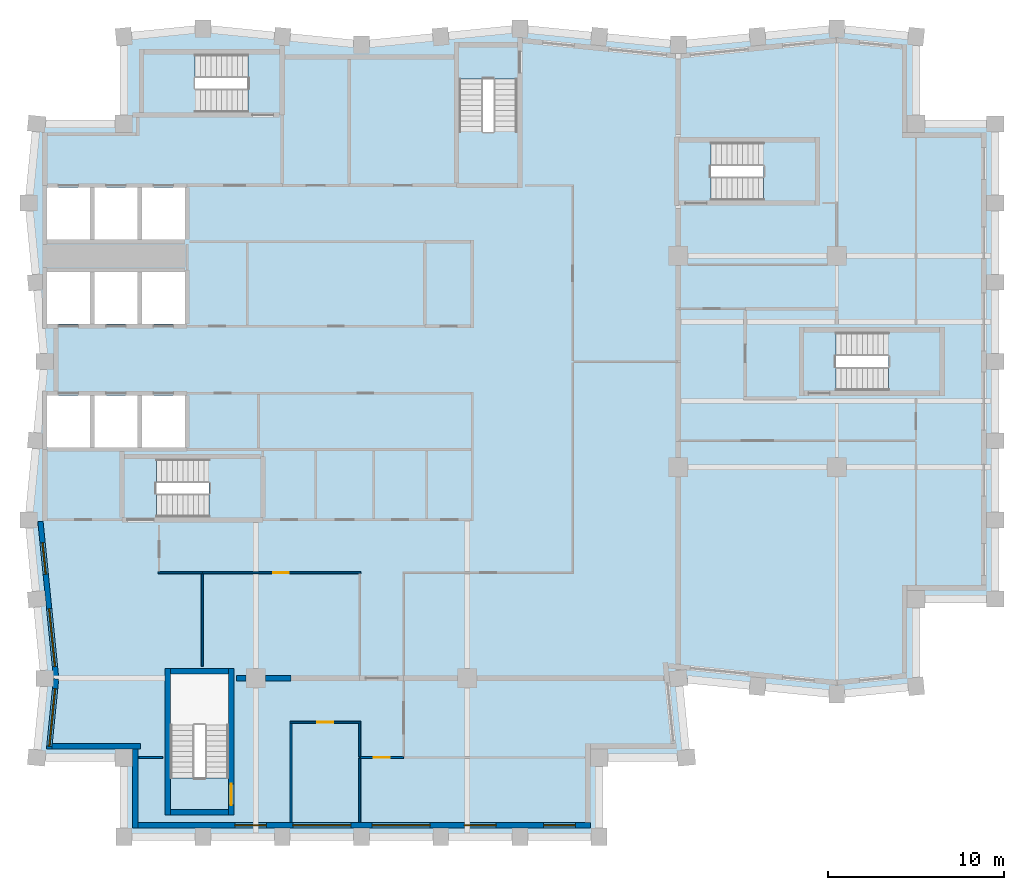
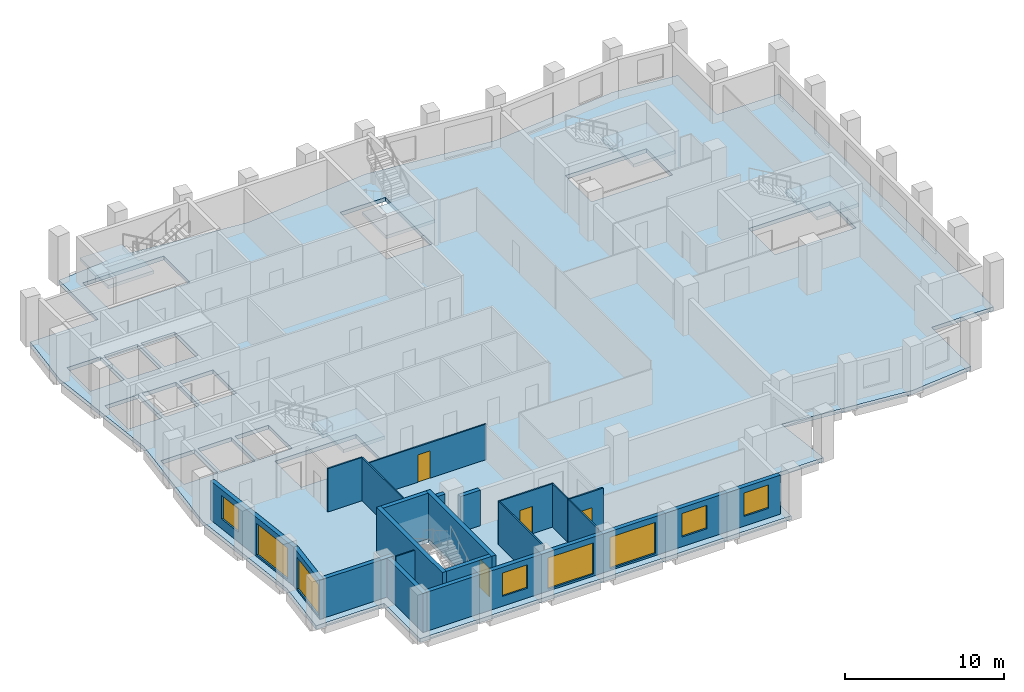
# One storey, part 2 of 8: 20 walls, 8 windows, 6 slabs, 4 doors, 12 openings, 5 elements without a shape of their own.
"""IFC4 building model written with IfcOpenShell, lengths in metres."""

from ifc_helpers import new_model, si_unit, direction, frame, frame_2d, origin, place, context, subcontext, project, spatial, polyline, rectangle, outline, extrude, material, layer, layer_set, type_object, element, fill, aggregate, save


model = new_model("IFC4")

# Units and contexts
model_context = context("Model", 3, precision=1e-05, world=origin(), true_north=direction((0.0, 1.0)))
body_context = subcontext(model_context, "Body", "Model", "MODEL_VIEW")
ifc_project = project(units=[si_unit("LENGTHUNIT", "METRE"), si_unit("AREAUNIT", "SQUARE_METRE"), si_unit("VOLUMEUNIT", "CUBIC_METRE"), si_unit("PLANEANGLEUNIT", "RADIAN"), si_unit("MASSUNIT", "GRAM", prefix="KILO")], contexts=[model_context])

# Site, building, storey
site_placement = place(None, origin())
site = spatial("IfcSite", under=ifc_project, at=site_placement, CompositionType="ELEMENT")
building_placement = place(site_placement, origin())
building = spatial("IfcBuilding", under=site, at=building_placement, Name="Brondeck Convention Tower", CompositionType="ELEMENT")
storey_placement = place(building_placement, frame((0.0, 0.0, 244.39990234375)))
storey = spatial("IfcBuildingStorey", under=building, at=storey_placement, Name="L60", CompositionType="ELEMENT", Elevation=244.39990234375)

# Slab
ifc_material_1 = material(Name="Concrete C35/45", Category="concrete")
ifc_layer_1 = layer(ifc_material_1, 0.300048828125)
ifc_layer_set_1 = layer_set([ifc_layer_1], Name="Composite floor slab 300")
slab_type_1 = type_object("IfcSlabType", Name="Composite floor slab 300", PredefinedType="FLOOR", material=ifc_layer_set_1)
slab_1_placement = place(storey_placement, frame((0.0, 0.0, -0.2998046875)))
element("IfcSlab", 1, at=slab_1_placement, inside=storey, type_object=slab_type_1, Name="STR-SL-L60", PredefinedType="FLOOR", context=body_context, shape_type="SweptSolid", body=[
    extrude(outline(polyline([(4.5, 22.5), (-0.449951171875, 22.5), (0.0, 27.0), (-0.89990234375, 36.0), (0.0, 45.0), (-0.89990234375, 54.0), (-0.449951171875, 58.5), (4.5, 58.5), (4.5, 63.449951171875), (9.0, 63.89990234375), (18.0, 63.0), (27.0, 63.89990234375), (36.0, 63.0), (45.0, 63.89990234375), (49.5, 63.449951171875), (49.5, 58.5), (54.0, 58.5), (54.0, 31.5), (49.5, 31.5), (49.5, 26.550048828125), (45.0, 26.10009765625), (36.0, 27.0), (36.449951171875, 22.5), (31.5, 22.5), (31.5, 18.0), (4.5, 18.0), (4.5, 22.5)]), holes=[polyline([(2.574951171875, 43.074951171875), (0.125, 43.074951171875), (0.125, 40.125), (2.574951171875, 40.125), (2.574951171875, 43.074951171875)]), polyline([(5.27490234375, 40.125), (5.27490234375, 43.074951171875), (2.824951171875, 43.074951171875), (2.824951171875, 40.125), (5.27490234375, 40.125)]), polyline([(7.97509765625, 40.125), (7.97509765625, 43.074951171875), (5.52490234375, 43.074951171875), (5.52490234375, 40.125), (7.97509765625, 40.125)]), polyline([(2.574951171875, 47.125), (2.574951171875, 50.074951171875), (0.125, 50.074951171875), (0.125, 47.125), (2.574951171875, 47.125)]), polyline([(5.27490234375, 47.125), (5.27490234375, 50.074951171875), (2.824951171875, 50.074951171875), (2.824951171875, 47.125), (5.27490234375, 47.125)]), polyline([(7.97509765625, 47.125), (7.97509765625, 50.074951171875), (5.52490234375, 50.074951171875), (5.52490234375, 47.125), (7.97509765625, 47.125)]), polyline([(2.574951171875, 51.925048828125), (2.574951171875, 54.875), (0.125, 54.875), (0.125, 51.925048828125), (2.574951171875, 51.925048828125)]), polyline([(5.27490234375, 51.925048828125), (5.27490234375, 54.875), (2.824951171875, 54.875), (2.824951171875, 51.925048828125), (5.27490234375, 51.925048828125)]), polyline([(10.447998046875, 27.248046875), (7.152099609375, 27.248046875), (7.152099609375, 21.35205078125), (10.447998046875, 21.35205078125), (10.447998046875, 27.248046875)]), polyline([(12.248046875, 36.152099609375), (12.248046875, 39.447998046875), (6.35205078125, 39.447998046875), (6.35205078125, 36.152099609375), (12.248046875, 36.152099609375)]), polyline([(50.847900390625, 43.35205078125), (50.847900390625, 46.64794921875), (44.951904296875, 46.64794921875), (44.951904296875, 43.35205078125), (50.847900390625, 43.35205078125)]), polyline([(7.97509765625, 51.925048828125), (7.97509765625, 54.875), (5.52490234375, 54.875), (5.52490234375, 51.925048828125), (7.97509765625, 51.925048828125)]), polyline([(43.748046875, 54.152099609375), (43.748046875, 57.447998046875), (37.85205078125, 57.447998046875), (37.85205078125, 54.152099609375), (43.748046875, 54.152099609375)]), polyline([(23.552001953125, 55.152099609375), (26.847900390625, 55.152099609375), (26.847900390625, 61.048095703125), (23.552001953125, 61.048095703125), (23.552001953125, 55.152099609375)]), polyline([(5.652099609375, 62.447998046875), (5.652099609375, 59.152099609375), (11.548095703125, 59.152099609375), (11.548095703125, 62.447998046875), (5.652099609375, 62.447998046875)])]), origin(), (0.0, 0.0, 1.0), 0.2998046875),
])

# Stair, slab
ifc_material_2 = material(Name="Precast concrete C50/60", Category="concrete")
stair_type = type_object("IfcStairType", Name="Core stair 22 risers 172.73 mm riser 300 mm going 1350 wide", PredefinedType="HALF_TURN_STAIR", material=ifc_material_2)
stair_1_placement = place(storey_placement, origin())
stair_1 = element("IfcStair", 2, at=stair_1_placement, inside=storey, type_object=stair_type, Name="ST-1 L60 stair", PredefinedType="HALF_TURN_STAIR")
ifc_layer_2 = layer(ifc_material_2, 0.25)
ifc_layer_set_2 = layer_set([ifc_layer_2], Name="Core stair landing 250 Precast concrete C50/60")
slab_type_2 = type_object("IfcSlabType", Name="Core stair landing 250 Precast concrete C50/60", PredefinedType="LANDING", material=ifc_layer_set_2)
slab_2_placement = place(storey_placement, frame((0.0, 0.0, 1.650146484375)))
slab_2 = element("IfcSlab", 3, at=slab_2_placement, type_object=slab_type_2, Name="ST-1 landing 1", PredefinedType="LANDING", context=body_context, shape_type="SweptSolid", body=[
    extrude(outline(polyline([(9.347900390625, 37.5), (9.35009765625, 37.5), (9.35009765625, 38.10009765625), (9.050048828125, 38.10009765625), (9.050048828125, 39.570068359375), (12.3701171875, 39.570068359375), (12.3701171875, 36.030029296875), (9.347900390625, 36.030029296875), (9.347900390625, 37.5)])), origin(), (0.0, 0.0, 1.0), 0.25),
])
aggregate(stair_1, [slab_2])

stair_2_placement = place(storey_placement, origin())
stair_2 = element("IfcStair", 4, at=stair_2_placement, inside=storey, type_object=stair_type, Name="ST-2 L60 stair", PredefinedType="HALF_TURN_STAIR")
slab_3_placement = place(storey_placement, frame((0.0, 0.0, 1.650146484375)))
slab_3 = element("IfcSlab", 5, at=slab_3_placement, type_object=slab_type_2, Name="ST-2 landing 1", PredefinedType="LANDING", context=body_context, shape_type="SweptSolid", body=[
    extrude(outline(polyline([(23.429931640625, 58.052001953125), (24.89990234375, 58.052001953125), (24.89990234375, 58.050048828125), (25.5, 58.050048828125), (25.5, 58.35009765625), (26.969970703125, 58.35009765625), (26.969970703125, 55.030029296875), (23.429931640625, 55.030029296875), (23.429931640625, 58.052001953125)])), origin(), (0.0, 0.0, 1.0), 0.25),
])
aggregate(stair_2, [slab_3])

stair_3_placement = place(storey_placement, origin())
stair_3 = element("IfcStair", 6, at=stair_3_placement, inside=storey, type_object=stair_type, Name="ST-3 L60 stair", PredefinedType="HALF_TURN_STAIR")
slab_4_placement = place(storey_placement, frame((0.0, 0.0, 1.650146484375)))
slab_4 = element("IfcSlab", 7, at=slab_4_placement, type_object=slab_type_2, Name="ST-3 landing 1", PredefinedType="LANDING", context=body_context, shape_type="SweptSolid", body=[
    extrude(outline(polyline([(8.85009765625, 60.5), (8.85009765625, 59.030029296875), (5.530029296875, 59.030029296875), (5.530029296875, 62.570068359375), (8.552001953125, 62.570068359375), (8.552001953125, 61.10009765625), (8.550048828125, 61.10009765625), (8.550048828125, 60.5), (8.85009765625, 60.5)])), origin(), (0.0, 0.0, 1.0), 0.25),
])
aggregate(stair_3, [slab_4])

stair_4_placement = place(storey_placement, origin())
stair_4 = element("IfcStair", 8, at=stair_4_placement, inside=storey, type_object=stair_type, Name="ST-AE L60 stair", PredefinedType="HALF_TURN_STAIR")
slab_5_placement = place(storey_placement, frame((0.0, 0.0, 1.650146484375)))
slab_5 = element("IfcSlab", 9, at=slab_5_placement, type_object=slab_type_2, Name="ST-AE landing 1", PredefinedType="LANDING", context=body_context, shape_type="SweptSolid", body=[
    extrude(outline(polyline([(40.847900390625, 55.5), (40.85009765625, 55.5), (40.85009765625, 56.10009765625), (40.550048828125, 56.10009765625), (40.550048828125, 57.570068359375), (43.8701171875, 57.570068359375), (43.8701171875, 54.030029296875), (40.847900390625, 54.030029296875), (40.847900390625, 55.5)])), origin(), (0.0, 0.0, 1.0), 0.25),
])
aggregate(stair_4, [slab_5])

stair_5_placement = place(storey_placement, origin())
stair_5 = element("IfcStair", 10, at=stair_5_placement, inside=storey, type_object=stair_type, Name="ST-AF L60 stair", PredefinedType="HALF_TURN_STAIR")
slab_6_placement = place(storey_placement, frame((0.0, 0.0, 1.650146484375)))
slab_6 = element("IfcSlab", 11, at=slab_6_placement, type_object=slab_type_2, Name="ST-AF landing 1", PredefinedType="LANDING", context=body_context, shape_type="SweptSolid", body=[
    extrude(outline(polyline([(47.947998046875, 44.699951171875), (47.949951171875, 44.699951171875), (47.949951171875, 45.300048828125), (47.64990234375, 45.300048828125), (47.64990234375, 46.77001953125), (50.969970703125, 46.77001953125), (50.969970703125, 43.22998046875), (47.947998046875, 43.22998046875), (47.947998046875, 44.699951171875)])), origin(), (0.0, 0.0, 1.0), 0.25),
])
aggregate(stair_5, [slab_6])

# Walls
ifc_material_3 = material(Name="Concrete compartment wall C30/37", Category="concrete")
ifc_layer_3 = layer(ifc_material_3, 0.300048828125)
ifc_layer_set_3 = layer_set([ifc_layer_3], Name="Compartment wall 300")
wall_type_1 = type_object("IfcWallType", Name="Compartment wall 300", PredefinedType="PARTITIONING", material=ifc_layer_set_3)
wall_1_placement = place(storey_placement, frame((10.89990234375, 27.0, 0.0), z_axis=(0.0, 0.0, 1.0), x_axis=(1.0, 0.0, 0.0)))
element("IfcWall", 12, at=wall_1_placement, inside=storey, type_object=wall_type_1, Name="FLR-L60-W013", PredefinedType="PARTITIONING", context=body_context, shape_type="SweptSolid", body=[
    extrude(rectangle(XDim=0.545166015625, YDim=0.300048828125, at=frame_2d((0.2724609375, 0.0))), origin(), (0.0, 0.0, 1.0), 3.330078125),
])
wall_2_placement = place(storey_placement, frame((12.554931640625, 27.0, 0.0), z_axis=(0.0, 0.0, 1.0), x_axis=(1.0, 0.0, 0.0)))
element("IfcWall", 13, at=wall_2_placement, inside=storey, type_object=wall_type_1, Name="FLR-L60-W014", PredefinedType="PARTITIONING", context=body_context, shape_type="SweptSolid", body=[
    extrude(rectangle(XDim=1.445068359375, YDim=0.300048828125, at=frame_2d((0.72265625, 0.0))), origin(), (0.0, 0.0, 1.0), 2.72998046875),
])

# Wall, openings, windows
ifc_material_4 = material(Name="Precast concrete C50/60 bronze finish", Category="concrete")
ifc_layer_4 = layer(ifc_material_4, 0.070068359375, Name="Bronze precast facing")
ifc_material_5 = material(Name="Mineral wool")
ifc_layer_5 = layer(ifc_material_5, 0.159912109375, Name="Insulation")
ifc_layer_6 = layer(ifc_material_1, 0.070068359375, Name="Backing")
ifc_layer_set_4 = layer_set([ifc_layer_4, ifc_layer_5, ifc_layer_6], Name="External infill wall, precast concrete C50/60 bronze facing")
wall_type_2 = type_object("IfcWallType", Name="External infill wall, precast concrete C50/60 bronze facing", PredefinedType="SOLIDWALL", material=ifc_layer_set_4)
wall_3_placement = place(storey_placement, frame((31.0, 18.64990234375, 0.0), z_axis=(0.0, 0.0, 1.0), x_axis=(-1.0, 0.0, 0.0)))
wall_3 = element("IfcWall", 14, at=wall_3_placement, inside=storey, type_object=wall_type_2, Name="ENV-EW-L60-P2-B-S18-01", PredefinedType="SOLIDWALL", context=body_context, shape_type="SweptSolid", body=[
    extrude(rectangle(XDim=25.699951171875, YDim=0.300048828125, at=frame_2d((12.85009765625, 0.0))), origin(), (0.0, 0.0, 1.0), 3.0),
])
opening_1_placement = place(wall_3_placement, frame((0.85009765625, 0.0, 0.75)))
opening_1 = element("IfcOpeningElement", 15, at=opening_1_placement, cuts=wall_3, Name="Opening W10", PredefinedType="OPENING", context=body_context, shape_type="SweptSolid", body=[
    extrude(rectangle(XDim=1.800048828125, YDim=1.800048828125, at=frame_2d((0.89990234375, 0.89990234375))), frame((0.0, 0.159912109375, 0.0), z_axis=(0.0, -1.0, 0.0), x_axis=(1.0, 0.0, 0.0)), (0.0, 0.0, 1.0), 0.320068359375),
])
opening_2_placement = place(wall_3_placement, frame((5.35009765625, 0.0, 0.75)))
opening_2 = element("IfcOpeningElement", 16, at=opening_2_placement, cuts=wall_3, Name="Opening W10", PredefinedType="OPENING", context=body_context, shape_type="SweptSolid", body=[
    extrude(rectangle(XDim=1.800048828125, YDim=1.800048828125, at=frame_2d((0.89990234375, 0.89990234375))), frame((0.0, 0.159912109375, 0.0), z_axis=(0.0, -1.0, 0.0), x_axis=(1.0, 0.0, 0.0)), (0.0, 0.0, 1.0), 0.320068359375),
])
opening_3_placement = place(wall_3_placement, frame((9.10009765625, 0.0, 0.14990234375)))
opening_3 = element("IfcOpeningElement", 17, at=opening_3_placement, cuts=wall_3, Name="Opening W9", PredefinedType="OPENING", context=body_context, shape_type="SweptSolid", body=[
    extrude(rectangle(XDim=3.300048828125, YDim=2.39990234375, at=frame_2d((1.64990234375, 1.199951171875))), frame((0.0, 0.159912109375, 0.0), z_axis=(0.0, -1.0, 0.0), x_axis=(1.0, 0.0, 0.0)), (0.0, 0.0, 1.0), 0.320068359375),
])
opening_4_placement = place(wall_3_placement, frame((13.60009765625, 0.0, 0.14990234375)))
opening_4 = element("IfcOpeningElement", 18, at=opening_4_placement, cuts=wall_3, Name="Opening W9", PredefinedType="OPENING", context=body_context, shape_type="SweptSolid", body=[
    extrude(rectangle(XDim=3.300048828125, YDim=2.39990234375, at=frame_2d((1.64990234375, 1.199951171875))), frame((0.0, 0.159912109375, 0.0), z_axis=(0.0, -1.0, 0.0), x_axis=(1.0, 0.0, 0.0)), (0.0, 0.0, 1.0), 0.320068359375),
])
opening_5_placement = place(wall_3_placement, frame((18.39990234375, 0.0, 0.75)))
opening_5 = element("IfcOpeningElement", 19, at=opening_5_placement, cuts=wall_3, Name="Opening W10", PredefinedType="OPENING", context=body_context, shape_type="SweptSolid", body=[
    extrude(rectangle(XDim=1.800048828125, YDim=1.800048828125, at=frame_2d((0.89990234375, 0.89990234375))), frame((0.0, 0.159912109375, 0.0), z_axis=(0.0, -1.0, 0.0), x_axis=(1.0, 0.0, 0.0)), (0.0, 0.0, 1.0), 0.320068359375),
])
ifc_material_6 = material(Name="Bronze tinted double glazing", Category="glass")
window_type_1 = type_object("IfcWindowType", Name="Glazed flute window, bronze tinted", PartitioningType="SINGLE_PANEL", PredefinedType="WINDOW", material=ifc_material_6)
window_1_placement = place(opening_3_placement, origin())
window_1 = element("IfcWindow", 20, at=window_1_placement, inside=storey, type_object=window_type_1, Name="ENV-WN-L60-P2-B-S18-04", OverallHeight=2.39990234375, OverallWidth=3.300048828125, PartitioningType="SINGLE_PANEL", PredefinedType="WINDOW", context=body_context, shape_type="SweptSolid", body=[
    extrude(rectangle(XDim=3.300048828125, YDim=2.39990234375, at=frame_2d((1.64990234375, 1.199951171875))), frame((0.0, 0.030029296875, 0.0), z_axis=(0.0, -1.0, 0.0), x_axis=(1.0, 0.0, 0.0)), (0.0, 0.0, 1.0), 0.06005859375),
])
fill(opening_3, window_1)
window_2_placement = place(opening_4_placement, origin())
window_2 = element("IfcWindow", 21, at=window_2_placement, inside=storey, type_object=window_type_1, Name="ENV-WN-L60-P2-B-S18-03", OverallHeight=2.39990234375, OverallWidth=3.300048828125, PartitioningType="SINGLE_PANEL", PredefinedType="WINDOW", context=body_context, shape_type="SweptSolid", body=[
    extrude(rectangle(XDim=3.300048828125, YDim=2.39990234375, at=frame_2d((1.64990234375, 1.199951171875))), frame((0.0, 0.030029296875, 0.0), z_axis=(0.0, -1.0, 0.0), x_axis=(1.0, 0.0, 0.0)), (0.0, 0.0, 1.0), 0.06005859375),
])
fill(opening_4, window_2)
window_type_2 = type_object("IfcWindowType", Name="Punched window, bronze tinted", PartitioningType="SINGLE_PANEL", PredefinedType="WINDOW", material=ifc_material_6)
window_3_placement = place(opening_1_placement, origin())
window_3 = element("IfcWindow", 22, at=window_3_placement, inside=storey, type_object=window_type_2, Name="ENV-WN-L60-P2-B-S18-06", OverallHeight=1.800048828125, OverallWidth=1.800048828125, PartitioningType="SINGLE_PANEL", PredefinedType="WINDOW", context=body_context, shape_type="SweptSolid", body=[
    extrude(rectangle(XDim=1.800048828125, YDim=1.800048828125, at=frame_2d((0.89990234375, 0.89990234375))), frame((0.0, 0.030029296875, 0.0), z_axis=(0.0, -1.0, 0.0), x_axis=(1.0, 0.0, 0.0)), (0.0, 0.0, 1.0), 0.06005859375),
])
fill(opening_1, window_3)
window_4_placement = place(opening_2_placement, origin())
window_4 = element("IfcWindow", 23, at=window_4_placement, inside=storey, type_object=window_type_2, Name="ENV-WN-L60-P2-B-S18-05", OverallHeight=1.800048828125, OverallWidth=1.800048828125, PartitioningType="SINGLE_PANEL", PredefinedType="WINDOW", context=body_context, shape_type="SweptSolid", body=[
    extrude(rectangle(XDim=1.800048828125, YDim=1.800048828125, at=frame_2d((0.89990234375, 0.89990234375))), frame((0.0, 0.030029296875, 0.0), z_axis=(0.0, -1.0, 0.0), x_axis=(1.0, 0.0, 0.0)), (0.0, 0.0, 1.0), 0.06005859375),
])
fill(opening_2, window_4)
window_5_placement = place(opening_5_placement, origin())
window_5 = element("IfcWindow", 24, at=window_5_placement, inside=storey, type_object=window_type_2, Name="ENV-WN-L60-P2-B-S18-02", OverallHeight=1.800048828125, OverallWidth=1.800048828125, PartitioningType="SINGLE_PANEL", PredefinedType="WINDOW", context=body_context, shape_type="SweptSolid", body=[
    extrude(rectangle(XDim=1.800048828125, YDim=1.800048828125, at=frame_2d((0.89990234375, 0.89990234375))), frame((0.0, 0.030029296875, 0.0), z_axis=(0.0, -1.0, 0.0), x_axis=(1.0, 0.0, 0.0)), (0.0, 0.0, 1.0), 0.06005859375),
])
fill(opening_5, window_5)

wall_4_placement = place(storey_placement, frame((0.65478515625, 26.985107421875, 0.0), z_axis=(0.0, 0.0, 1.0), x_axis=(-0.099509105781, 0.995036651519, 0.0)))
wall_4 = element("IfcWall", 25, at=wall_4_placement, inside=storey, type_object=wall_type_2, Name="ENV-EW-L60-P2-B-W-06", PredefinedType="SOLIDWALL", context=body_context, shape_type="SweptSolid", body=[
    extrude(rectangle(XDim=8.974609375, YDim=0.300048828125, at=frame_2d((4.4873046875, 0.0))), origin(), (0.0, 0.0, 1.0), 3.0),
])
opening_6_placement = place(wall_4_placement, frame((0.691162109375, 0.0, 0.14990234375)))
opening_6 = element("IfcOpeningElement", 26, at=opening_6_placement, cuts=wall_4, Name="Opening W9", PredefinedType="OPENING", context=body_context, shape_type="SweptSolid", body=[
    extrude(rectangle(XDim=3.300048828125, YDim=2.39990234375, at=frame_2d((1.64990234375, 1.199951171875))), frame((0.0, 0.159912109375, 0.0), z_axis=(0.0, -1.0, 0.0), x_axis=(1.0, 0.0, 0.0)), (0.0, 0.0, 1.0), 0.320068359375),
])
opening_7_placement = place(wall_4_placement, frame((5.963623046875, 0.0, 0.75)))
opening_7 = element("IfcOpeningElement", 27, at=opening_7_placement, cuts=wall_4, Name="Opening W10", PredefinedType="OPENING", context=body_context, shape_type="SweptSolid", body=[
    extrude(rectangle(XDim=1.800048828125, YDim=1.800048828125, at=frame_2d((0.89990234375, 0.89990234375))), frame((0.0, 0.159912109375, 0.0), z_axis=(0.0, -1.0, 0.0), x_axis=(1.0, 0.0, 0.0)), (0.0, 0.0, 1.0), 0.320068359375),
])
window_6_placement = place(opening_6_placement, origin())
window_6 = element("IfcWindow", 28, at=window_6_placement, inside=storey, type_object=window_type_1, Name="ENV-WN-L60-P2-B-W-07", OverallHeight=2.39990234375, OverallWidth=3.300048828125, PartitioningType="SINGLE_PANEL", PredefinedType="WINDOW", context=body_context, shape_type="SweptSolid", body=[
    extrude(rectangle(XDim=3.300048828125, YDim=2.39990234375, at=frame_2d((1.64990234375, 1.199951171875))), frame((0.0, 0.030029296875, 0.0), z_axis=(0.0, -1.0, 0.0), x_axis=(1.0, 0.0, 0.0)), (0.0, 0.0, 1.0), 0.06005859375),
])
fill(opening_6, window_6)
window_7_placement = place(opening_7_placement, origin())
window_7 = element("IfcWindow", 29, at=window_7_placement, inside=storey, type_object=window_type_2, Name="ENV-WN-L60-P2-B-W-06", OverallHeight=1.800048828125, OverallWidth=1.800048828125, PartitioningType="SINGLE_PANEL", PredefinedType="WINDOW", context=body_context, shape_type="SweptSolid", body=[
    extrude(rectangle(XDim=1.800048828125, YDim=1.800048828125, at=frame_2d((0.89990234375, 0.89990234375))), frame((0.0, 0.030029296875, 0.0), z_axis=(0.0, -1.0, 0.0), x_axis=(1.0, 0.0, 0.0)), (0.0, 0.0, 1.0), 0.06005859375),
])
fill(opening_7, window_7)

# Wall, opening, window
wall_5_placement = place(storey_placement, frame((0.251708984375, 22.985107421875, 0.0), z_axis=(0.0, 0.0, 1.0), x_axis=(0.09954596771, 0.995032964435, 0.0)))
wall_5 = element("IfcWall", 30, at=wall_5_placement, inside=storey, type_object=wall_type_2, Name="ENV-EW-L60-P2-B-W-08", PredefinedType="SOLIDWALL", context=body_context, shape_type="SweptSolid", body=[
    extrude(rectangle(XDim=4.0048828125, YDim=0.300048828125, at=frame_2d((2.00244140625, 0.0))), origin(), (0.0, 0.0, 1.0), 3.0),
])
opening_8_placement = place(wall_5_placement, frame((0.14990234375, 0.0, 0.14990234375)))
opening_8 = element("IfcOpeningElement", 31, at=opening_8_placement, cuts=wall_5, Name="Opening W9", PredefinedType="OPENING", context=body_context, shape_type="SweptSolid", body=[
    extrude(rectangle(XDim=3.300048828125, YDim=2.39990234375, at=frame_2d((1.64990234375, 1.199951171875))), frame((0.0, 0.159912109375, 0.0), z_axis=(0.0, -1.0, 0.0), x_axis=(1.0, 0.0, 0.0)), (0.0, 0.0, 1.0), 0.320068359375),
])
window_8_placement = place(opening_8_placement, origin())
window_8 = element("IfcWindow", 32, at=window_8_placement, inside=storey, type_object=window_type_1, Name="ENV-WN-L60-P2-B-W-08", OverallHeight=2.39990234375, OverallWidth=3.300048828125, PartitioningType="SINGLE_PANEL", PredefinedType="WINDOW", context=body_context, shape_type="SweptSolid", body=[
    extrude(rectangle(XDim=3.300048828125, YDim=2.39990234375, at=frame_2d((1.64990234375, 1.199951171875))), frame((0.0, 0.030029296875, 0.0), z_axis=(0.0, -1.0, 0.0), x_axis=(1.0, 0.0, 0.0)), (0.0, 0.0, 1.0), 0.06005859375),
])
fill(opening_8, window_8)

# Walls
wall_6_placement = place(storey_placement, frame((5.449951171875, 23.14990234375, 0.0), z_axis=(0.0, 0.0, 1.0), x_axis=(-1.0, 0.0, 0.0)))
element("IfcWall", 33, at=wall_6_placement, inside=storey, type_object=wall_type_2, Name="ENV-EW-L60-P2-NC-SWB18-01", PredefinedType="SOLIDWALL", context=body_context, shape_type="SweptSolid", body=[
    extrude(rectangle(XDim=5.025634765625, YDim=0.300048828125, at=frame_2d((2.5126953125, 0.0))), origin(), (0.0, 0.0, 1.0), 3.0),
])
wall_7_placement = place(storey_placement, frame((5.14990234375, 18.5, 0.0), z_axis=(0.0, 0.0, 1.0), x_axis=(0.0, 1.0, 0.0)))
element("IfcWall", 34, at=wall_7_placement, inside=storey, type_object=wall_type_2, Name="ENV-EW-L60-P2-NC-SWB18-02", PredefinedType="SOLIDWALL", context=body_context, shape_type="SweptSolid", body=[
    extrude(rectangle(XDim=4.5, YDim=0.300048828125, at=frame_2d((2.25, 0.0))), origin(), (0.0, 0.0, 1.0), 3.0),
])
ifc_material_7 = material(Name="Gypsum board partition on steel studs", Category="steel")
ifc_layer_7 = layer(ifc_material_7, 0.10009765625)
ifc_layer_set_5 = layer_set([ifc_layer_7], Name="Room partition 100")
wall_type_3 = type_object("IfcWallType", Name="Room partition 100", PredefinedType="PARTITIONING", material=ifc_layer_set_5)
wall_8_placement = place(storey_placement, frame((17.89990234375, 22.449951171875, 0.0), z_axis=(0.0, 0.0, 1.0), x_axis=(0.0, -1.0, 0.0)))
element("IfcWall", 35, at=wall_8_placement, inside=storey, type_object=wall_type_3, Name="FLR-L60-W001", PredefinedType="PARTITIONING", context=body_context, shape_type="SweptSolid", body=[
    extrude(rectangle(XDim=3.6298828125, YDim=0.10009765625, at=frame_2d((1.81494140625, 0.0))), origin(), (0.0, 0.0, 1.0), 3.330078125),
])
wall_9_placement = place(storey_placement, frame((5.35009765625, 22.5, 0.0), z_axis=(0.0, 0.0, 1.0), x_axis=(1.0, 0.0, 0.0)))
element("IfcWall", 36, at=wall_9_placement, inside=storey, type_object=wall_type_3, Name="FLR-L60-W002", PredefinedType="PARTITIONING", context=body_context, shape_type="SweptSolid", body=[
    extrude(rectangle(XDim=1.349853515625, YDim=0.10009765625, at=frame_2d((0.6748046875, 0.0))), origin(), (0.0, 0.0, 1.0), 3.330078125),
])

# Wall, opening, door
wall_10_placement = place(storey_placement, frame((20.39990234375, 22.5, 0.0), z_axis=(0.0, 0.0, 1.0), x_axis=(-1.0, 0.0, 0.0)))
wall_10 = element("IfcWall", 37, at=wall_10_placement, inside=storey, type_object=wall_type_3, Name="FLR-L60-W003", PredefinedType="PARTITIONING", context=body_context, shape_type="SweptSolid", body=[
    extrude(rectangle(XDim=2.449951171875, YDim=0.10009765625, at=frame_2d((1.22509765625, 0.0))), origin(), (0.0, 0.0, 1.0), 3.330078125),
])
opening_9_placement = place(wall_10_placement, frame((0.800048828125, 0.0, 0.0)))
opening_9 = element("IfcOpeningElement", 38, at=opening_9_placement, cuts=wall_10, Name="Opening OF-O-006", PredefinedType="OPENING", context=body_context, shape_type="SweptSolid", body=[
    extrude(rectangle(XDim=0.89990234375, YDim=2.10009765625, at=frame_2d((0.449951171875, 1.050048828125))), frame((0.0, 0.06005859375, 0.0), z_axis=(0.0, -1.0, 0.0), x_axis=(1.0, 0.0, 0.0)), (0.0, 0.0, 1.0), 0.1201171875),
])
ifc_material_8 = material(Name="Solid timber door leaf", Category="wood")
door_type_1 = type_object("IfcDoorType", Name="Single door 900", OperationType="NOTDEFINED", PredefinedType="DOOR", material=ifc_material_8)
door_1_placement = place(opening_9_placement, origin())
door_1 = element("IfcDoor", 39, at=door_1_placement, inside=storey, type_object=door_type_1, Name="Door OF-O-006", OperationType="SINGLE_SWING_LEFT", OverallHeight=2.10009765625, OverallWidth=0.89990234375, PredefinedType="DOOR", context=body_context, shape_type="SweptSolid", body=[
    extrude(rectangle(XDim=0.89990234375, YDim=2.10009765625, at=frame_2d((0.449951171875, 1.050048828125))), frame((0.0, 0.02490234375, 0.0), z_axis=(0.0, -1.0, 0.0), x_axis=(1.0, 0.0, 0.0)), (0.0, 0.0, 1.0), 0.050048828125),
])
fill(opening_9, door_1)

# Walls
wall_11_placement = place(storey_placement, frame((17.89990234375, 22.550048828125, 0.0), z_axis=(0.0, 0.0, 1.0), x_axis=(0.0, 1.0, 0.0)))
element("IfcWall", 40, at=wall_11_placement, inside=storey, type_object=wall_type_3, Name="FLR-L60-W006", PredefinedType="PARTITIONING", context=body_context, shape_type="SweptSolid", body=[
    extrude(rectangle(XDim=1.89990234375, YDim=0.10009765625, at=frame_2d((0.949951171875, 0.0))), origin(), (0.0, 0.0, 1.0), 3.330078125),
])
wall_12_placement = place(storey_placement, frame((14.0, 24.449951171875, 0.0), z_axis=(0.0, 0.0, 1.0), x_axis=(0.0, -1.0, 0.0)))
element("IfcWall", 41, at=wall_12_placement, inside=storey, type_object=wall_type_3, Name="FLR-L60-W009", PredefinedType="PARTITIONING", context=body_context, shape_type="SweptSolid", body=[
    extrude(rectangle(XDim=5.6298828125, YDim=0.10009765625, at=frame_2d((2.81494140625, 0.0))), origin(), (0.0, 0.0, 1.0), 3.330078125),
])

# Wall, opening, door
wall_13_placement = place(storey_placement, frame((17.949951171875, 24.5, 0.0), z_axis=(0.0, 0.0, 1.0), x_axis=(-1.0, 0.0, 0.0)))
wall_13 = element("IfcWall", 42, at=wall_13_placement, inside=storey, type_object=wall_type_3, Name="FLR-L60-W010", PredefinedType="PARTITIONING", context=body_context, shape_type="SweptSolid", body=[
    extrude(rectangle(XDim=4.0, YDim=0.10009765625, at=frame_2d((2.0, 0.0))), origin(), (0.0, 0.0, 1.0), 3.330078125),
])
opening_10_placement = place(wall_13_placement, frame((1.550048828125, 0.0, 0.0)))
opening_10 = element("IfcOpeningElement", 43, at=opening_10_placement, cuts=wall_13, Name="Opening OF-O-002", PredefinedType="OPENING", context=body_context, shape_type="SweptSolid", body=[
    extrude(rectangle(XDim=0.89990234375, YDim=2.10009765625, at=frame_2d((0.449951171875, 1.050048828125))), frame((0.0, 0.06005859375, 0.0), z_axis=(0.0, -1.0, 0.0), x_axis=(1.0, 0.0, 0.0)), (0.0, 0.0, 1.0), 0.1201171875),
])
door_2_placement = place(opening_10_placement, origin())
door_2 = element("IfcDoor", 44, at=door_2_placement, inside=storey, type_object=door_type_1, Name="Door OF-O-002", OperationType="SINGLE_SWING_RIGHT", OverallHeight=2.10009765625, OverallWidth=0.89990234375, PredefinedType="DOOR", context=body_context, shape_type="SweptSolid", body=[
    extrude(rectangle(XDim=0.89990234375, YDim=2.10009765625, at=frame_2d((0.449951171875, 1.050048828125))), frame((0.0, 0.02490234375, 0.0), z_axis=(0.0, -1.0, 0.0), x_axis=(1.0, 0.0, 0.0)), (0.0, 0.0, 1.0), 0.050048828125),
])
fill(opening_10, door_2)

# Walls
wall_14_placement = place(storey_placement, frame((8.9599609375, 32.949951171875, 0.0), z_axis=(0.0, 0.0, 1.0), x_axis=(0.0, -1.0, 0.0)))
element("IfcWall", 45, at=wall_14_placement, inside=storey, type_object=wall_type_3, Name="FLR-L60-W024", PredefinedType="PARTITIONING", context=body_context, shape_type="SweptSolid", body=[
    extrude(rectangle(XDim=5.25, YDim=0.10009765625, at=frame_2d((2.625, 0.0))), origin(), (0.0, 0.0, 1.0), 3.330078125),
])
wall_15_placement = place(storey_placement, frame((8.9599609375, 33.0, 0.0), z_axis=(0.0, 0.0, 1.0), x_axis=(-1.0, 0.0, 0.0)))
element("IfcWall", 46, at=wall_15_placement, inside=storey, type_object=wall_type_3, Name="FLR-L60-W026", PredefinedType="PARTITIONING", context=body_context, shape_type="SweptSolid", body=[
    extrude(rectangle(XDim=2.510009765625, YDim=0.10009765625, at=frame_2d((1.2548828125, 0.0))), origin(), (0.0, 0.0, 1.0), 3.330078125),
])

# Wall, opening, door
wall_16_placement = place(storey_placement, frame((17.949951171875, 33.0, 0.0), z_axis=(0.0, 0.0, 1.0), x_axis=(-1.0, 0.0, 0.0)))
wall_16 = element("IfcWall", 47, at=wall_16_placement, inside=storey, type_object=wall_type_3, Name="FLR-L60-W027", PredefinedType="PARTITIONING", context=body_context, shape_type="SweptSolid", body=[
    extrude(rectangle(XDim=8.989990234375, YDim=0.10009765625, at=frame_2d((4.4951171875, 0.0))), origin(), (0.0, 0.0, 1.0), 2.72998046875),
])
opening_11_placement = place(wall_16_placement, frame((4.070068359375, 0.0, 0.0)))
opening_11 = element("IfcOpeningElement", 48, at=opening_11_placement, cuts=wall_16, Name="Opening OF-O-009", PredefinedType="OPENING", context=body_context, shape_type="SweptSolid", body=[
    extrude(rectangle(XDim=0.89990234375, YDim=2.10009765625, at=frame_2d((0.449951171875, 1.050048828125))), frame((0.0, 0.06005859375, 0.0), z_axis=(0.0, -1.0, 0.0), x_axis=(1.0, 0.0, 0.0)), (0.0, 0.0, 1.0), 0.1201171875),
])
door_3_placement = place(opening_11_placement, origin())
door_3 = element("IfcDoor", 49, at=door_3_placement, inside=storey, type_object=door_type_1, Name="Door OF-O-009", OperationType="SINGLE_SWING_RIGHT", OverallHeight=2.10009765625, OverallWidth=0.89990234375, PredefinedType="DOOR", context=body_context, shape_type="SweptSolid", body=[
    extrude(rectangle(XDim=0.89990234375, YDim=2.10009765625, at=frame_2d((0.449951171875, 1.050048828125))), frame((0.0, 0.02490234375, 0.0), z_axis=(0.0, -1.0, 0.0), x_axis=(1.0, 0.0, 0.0)), (0.0, 0.0, 1.0), 0.050048828125),
])
fill(opening_11, door_3)

# Walls
ifc_material_9 = material(Name="Concrete C50/60", Category="concrete")
ifc_layer_8 = layer(ifc_material_9, 0.300048828125)
ifc_layer_set_6 = layer_set([ifc_layer_8], Name="Stair enclosure wall 300 Concrete C50/60")
wall_type_4 = type_object("IfcWallType", Name="Stair enclosure wall 300 Concrete C50/60", PredefinedType="SHEAR", material=ifc_layer_set_6)
for number, where, z_axis, x_axis, name in (
    (50, (7.14990234375, 19.39990234375, 0.0), (0.0, 0.0, 1.0), (1.0, 0.0, 0.0), "L60 core wall"),
    (51, (7.14990234375, 27.39990234375, 0.0), (0.0, 0.0, 1.0), (1.0, 0.0, 0.0), "L60 core wall"),
):
    element("IfcWall", number, at=place(storey_placement, frame(where, z_axis=z_axis, x_axis=x_axis)), inside=storey, type_object=wall_type_4, Name=name, PredefinedType="SHEAR", context=body_context, shape_type="SweptSolid", body=[
        extrude(rectangle(XDim=3.300048828125, YDim=0.300048828125, at=frame_2d((1.64990234375, 0.0))), origin(), (0.0, 0.0, 1.0), 3.5),
    ])
wall_17_placement = place(storey_placement, frame((7.0, 19.25, 0.0), z_axis=(0.0, 0.0, 1.0), x_axis=(0.0, 1.0, 0.0)))
element("IfcWall", 52, at=wall_17_placement, inside=storey, type_object=wall_type_4, Name="L60 core wall", PredefinedType="SHEAR", context=body_context, shape_type="SweptSolid", body=[
    extrude(rectangle(XDim=8.300048828125, YDim=0.300048828125, at=frame_2d((4.14990234375, 0.0))), origin(), (0.0, 0.0, 1.0), 3.5),
])

# Wall, opening, door
wall_18_placement = place(storey_placement, frame((10.60009765625, 19.25, 0.0), z_axis=(0.0, 0.0, 1.0), x_axis=(0.0, 1.0, 0.0)))
wall_18 = element("IfcWall", 53, at=wall_18_placement, inside=storey, type_object=wall_type_4, Name="L60 core wall", PredefinedType="SHEAR", context=body_context, shape_type="SweptSolid", body=[
    extrude(rectangle(XDim=8.300048828125, YDim=0.300048828125, at=frame_2d((4.14990234375, 0.0))), origin(), (0.0, 0.0, 1.0), 3.5),
])
opening_12_placement = place(wall_18_placement, frame((0.550048828125, 0.0, 0.0)))
opening_12 = element("IfcOpeningElement", 54, at=opening_12_placement, cuts=wall_18, Name="Opening C32-19", PredefinedType="OPENING", context=body_context, shape_type="SweptSolid", body=[
    extrude(rectangle(XDim=1.199951171875, YDim=2.199951171875, at=frame_2d((0.60009765625, 1.10009765625))), frame((0.0, 0.159912109375, 0.0), z_axis=(0.0, -1.0, 0.0), x_axis=(1.0, 0.0, 0.0)), (0.0, 0.0, 1.0), 0.320068359375),
])
ifc_material_10 = material(Name="Steel fire door", Category="steel")
door_type_2 = type_object("IfcDoorType", Name="Stair door 1200x2200 EI 90", OperationType="NOTDEFINED", PredefinedType="DOOR", material=ifc_material_10)
door_4_placement = place(opening_12_placement, origin())
door_4 = element("IfcDoor", 55, at=door_4_placement, inside=storey, type_object=door_type_2, Name="L60 Stair door ST-BE", OperationType="SINGLE_SWING_RIGHT", OverallHeight=2.199951171875, OverallWidth=1.199951171875, PredefinedType="DOOR", context=body_context, shape_type="SweptSolid", body=[
    extrude(rectangle(XDim=1.199951171875, YDim=2.199951171875, at=frame_2d((0.60009765625, 1.10009765625))), frame((0.0, 0.02490234375, 0.0), z_axis=(0.0, -1.0, 0.0), x_axis=(1.0, 0.0, 0.0)), (0.0, 0.0, 1.0), 0.050048828125),
])
fill(opening_12, door_4)

save(model, "model.ifc")
